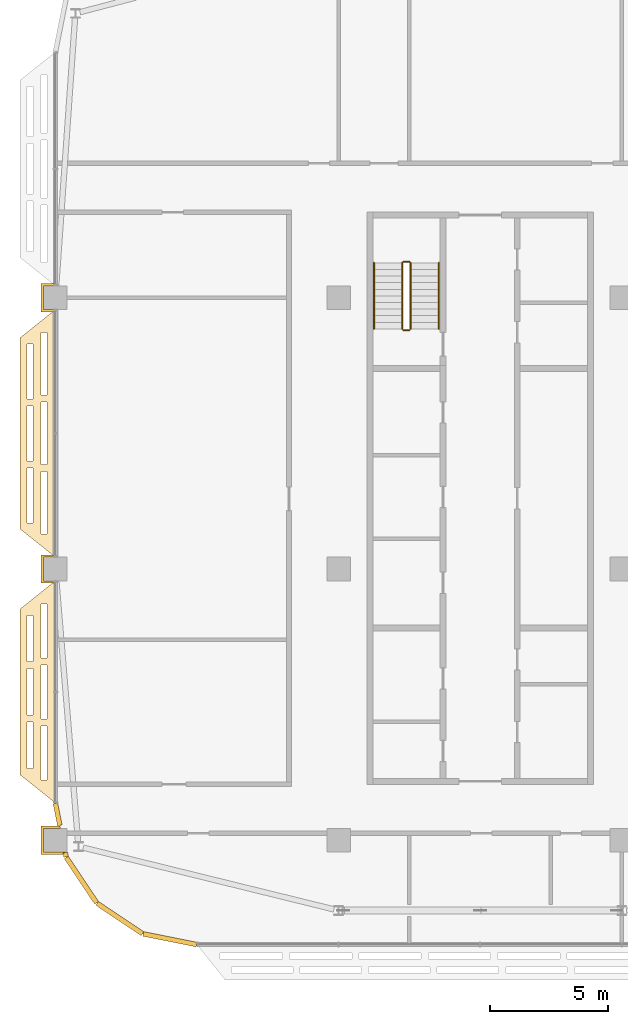
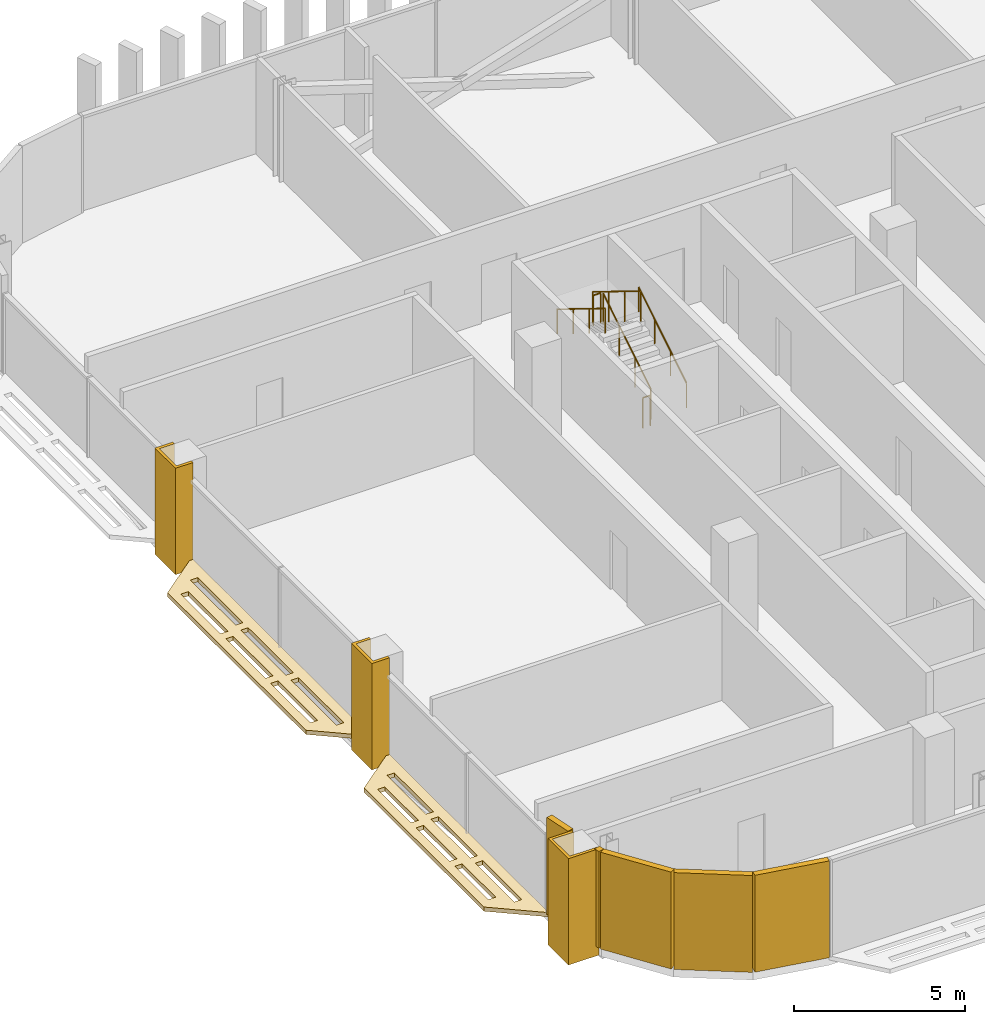
# One storey, part 26 of 32: 10 coverings, 6 railings.
"""IFC4 building model written with IfcOpenShell, lengths in metres."""

from ifc_helpers import new_model, si_unit, direction, frame, origin, origin_2d, place, context, subcontext, project, spatial, polyline, rectangle, circle, outline, extrude, material, layer, layer_set, type_object, element, save


model = new_model("IFC4")

# Units and contexts
model_context = context("Model", 3, precision=1e-05, world=origin(), true_north=direction((0.0, 1.0)))
body_context = subcontext(model_context, "Body", "Model", "MODEL_VIEW")
ifc_project = project(units=[si_unit("LENGTHUNIT", "METRE"), si_unit("AREAUNIT", "SQUARE_METRE"), si_unit("VOLUMEUNIT", "CUBIC_METRE"), si_unit("PLANEANGLEUNIT", "RADIAN"), si_unit("MASSUNIT", "GRAM", prefix="KILO")], contexts=[model_context])

# Site, building, storey
site_placement = place(None, origin())
site = spatial("IfcSite", under=ifc_project, at=site_placement, CompositionType="ELEMENT")
building_placement = place(site_placement, origin())
building = spatial("IfcBuilding", under=site, at=building_placement, Name="Mahtab Terrace Research Tower", CompositionType="ELEMENT")
storey_placement = place(building_placement, frame((0.0, 0.0, 240.0)))
storey = spatial("IfcBuildingStorey", under=building, at=storey_placement, Name="L58", CompositionType="ELEMENT", Elevation=240.0)

# Coverings
ifc_material_1 = material(Name="Black aluminium cladding panel", Category="aluminium")
ifc_layer_1 = layer(ifc_material_1, 0.199951171875)
ifc_layer_set_1 = layer_set([ifc_layer_1], Name="Black metal corner cladding 200")
covering_type_1 = type_object("IfcCoveringType", Name="Black metal corner cladding 200", PredefinedType="CLADDING", material=ifc_layer_set_1)
covering_1_placement = place(storey_placement, frame((-41.90380859375, -10.399658203125, 0.0), z_axis=(0.0, 0.0, 1.0), x_axis=(0.195212442692, -0.980760981187, 0.0)))
element("IfcCovering", 1, at=covering_1_placement, inside=storey, type_object=covering_type_1, Name="Corner cladding L58 11", PredefinedType="CLADDING", context=body_context, shape_type="SweptSolid", body=[
    extrude(rectangle(XDim=0.944580078125, YDim=0.199951171875, at=origin_2d()), origin(), (0.0, 0.0, 1.0), 3.4599609375),
])
covering_2_placement = place(storey_placement, frame((-41.5634765625, -12.10986328125, 0.0), z_axis=(0.0, 0.0, 1.0), x_axis=(0.195212442692, -0.980760981187, 0.0)))
element("IfcCovering", 2, at=covering_2_placement, inside=storey, type_object=covering_type_1, Name="Corner cladding L58 12", PredefinedType="CLADDING", context=body_context, shape_type="SweptSolid", body=[
    extrude(rectangle(XDim=0.1904296875, YDim=0.199951171875, at=origin_2d()), origin(), (0.0, 0.0, 1.0), 3.4599609375),
])
for number, where, z_axis, x_axis, name in (
    (3, (-40.89306640625, -13.1865234375, 0.0), (0.0, 0.0, 1.0), (0.555291490808, -0.831655794326, 0.0), "Corner cladding L58 13"),
    (4, (-39.26953125, -14.81005859375, 0.0), (0.0, 0.0, 1.0), (0.831655794326, -0.555291490808, 0.0), "Corner cladding L58 14"),
    (5, (-37.14794921875, -15.6884765625, 0.0), (0.0, 0.0, 1.0), (0.980760981187, -0.195212442692, 0.0), "Corner cladding L58 15"),
):
    element("IfcCovering", number, at=place(storey_placement, frame(where, z_axis=z_axis, x_axis=x_axis)), inside=storey, type_object=covering_type_1, Name=name, PredefinedType="CLADDING", context=body_context, shape_type="SweptSolid", body=[
        extrude(rectangle(XDim=2.30126953125, YDim=0.199951171875, at=origin_2d()), origin(), (0.0, 0.0, 1.0), 3.4599609375),
    ])
ifc_material_2 = material(Name="Dark anodised aluminium cladding", Category="aluminium")
ifc_layer_2 = layer(ifc_material_2, 0.10009765625)
ifc_layer_set_2 = layer_set([ifc_layer_2], Name="Column casing 100")
covering_type_2 = type_object("IfcCoveringType", Name="Column casing 100", PredefinedType="CLADDING", material=ifc_layer_set_2)
covering_3_placement = place(storey_placement, frame((0.0, 0.0, -0.340087890625)))
element("IfcCovering", 6, at=covering_3_placement, inside=storey, type_object=covering_type_2, Name="Column casing RC-1A L58", PredefinedType="CLADDING", context=body_context, shape_type="SweptSolid", body=[
    extrude(outline(polyline([(-42.60009765625, -10.89990234375), (-41.803955078125, -10.89990234375), (-41.783935546875, -11.0), (-42.5, -11.0), (-42.5, -12.0), (-41.5849609375, -12.0), (-41.56494140625, -12.10009765625), (-42.60009765625, -12.10009765625), (-42.60009765625, -10.89990234375)])), origin(), (0.0, 0.0, 1.0), 3.800048828125),
])
covering_4_placement = place(storey_placement, frame((0.0, 0.0, -0.340087890625)))
element("IfcCovering", 7, at=covering_4_placement, inside=storey, type_object=covering_type_2, Name="Column casing RC-1B L58", PredefinedType="CLADDING", context=body_context, shape_type="SweptSolid", body=[
    extrude(outline(polyline([(-42.60009765625, 0.60009765625), (-42.0, 0.60009765625), (-42.0, 0.5), (-42.5, 0.5), (-42.5, -0.5), (-42.0, -0.5), (-42.0, -0.60009765625), (-42.60009765625, -0.60009765625), (-42.60009765625, 0.60009765625)])), origin(), (0.0, 0.0, 1.0), 3.800048828125),
])
covering_5_placement = place(storey_placement, frame((0.0, 0.0, -0.340087890625)))
element("IfcCovering", 8, at=covering_5_placement, inside=storey, type_object=covering_type_2, Name="Column casing RC-1C L58", PredefinedType="CLADDING", context=body_context, shape_type="SweptSolid", body=[
    extrude(outline(polyline([(-42.60009765625, 12.10009765625), (-42.0, 12.10009765625), (-42.0, 12.0), (-42.5, 12.0), (-42.5, 11.0), (-42.0, 11.0), (-42.0, 10.89990234375), (-42.60009765625, 10.89990234375), (-42.60009765625, 12.10009765625)])), origin(), (0.0, 0.0, 1.0), 3.800048828125),
])
ifc_material_3 = material(Name="Black anodised aluminium", Category="aluminium")
ifc_layer_3 = layer(ifc_material_3, 0.14990234375)
ifc_layer_set_3 = layer_set([ifc_layer_3], Name="Horizontal sunshade band")
covering_type_3 = type_object("IfcCoveringType", Name="Horizontal sunshade band", PredefinedType="CLADDING", material=ifc_layer_set_3)
covering_6_placement = place(storey_placement, frame((0.0, 0.0, -0.14990234375)))
element("IfcCovering", 9, at=covering_6_placement, inside=storey, type_object=covering_type_3, Name="Sunshade band L58 9", PredefinedType="CLADDING", context=body_context, shape_type="SweptSolid", body=[
    extrude(outline(polyline([(-42.0, 11.0), (-42.0, 0.5), (-43.5, 1.699951171875), (-43.5, 9.800048828125), (-42.0, 11.0)]), holes=[polyline([(-42.35009765625, 10.02001953125), (-42.35009765625, 7.373046875), (-42.60009765625, 7.373046875), (-42.60009765625, 10.02001953125), (-42.35009765625, 10.02001953125)]), polyline([(-42.35009765625, 7.072998046875), (-42.35009765625, 4.427001953125), (-42.60009765625, 4.427001953125), (-42.60009765625, 7.072998046875), (-42.35009765625, 7.072998046875)]), polyline([(-42.35009765625, 4.126953125), (-42.35009765625, 1.47998046875), (-42.60009765625, 1.47998046875), (-42.60009765625, 4.126953125), (-42.35009765625, 4.126953125)]), polyline([(-42.949951171875, 9.5400390625), (-42.949951171875, 7.212890625), (-43.199951171875, 7.212890625), (-43.199951171875, 9.5400390625), (-42.949951171875, 9.5400390625)]), polyline([(-42.949951171875, 6.9130859375), (-42.949951171875, 4.5869140625), (-43.199951171875, 4.5869140625), (-43.199951171875, 6.9130859375), (-42.949951171875, 6.9130859375)]), polyline([(-42.949951171875, 4.287109375), (-42.949951171875, 1.9599609375), (-43.199951171875, 1.9599609375), (-43.199951171875, 4.287109375), (-42.949951171875, 4.287109375)])]), origin(), (0.0, 0.0, 1.0), 0.14990234375),
])
covering_7_placement = place(storey_placement, frame((0.0, 0.0, -0.14990234375)))
element("IfcCovering", 10, at=covering_7_placement, inside=storey, type_object=covering_type_3, Name="Sunshade band L58 10", PredefinedType="CLADDING", context=body_context, shape_type="SweptSolid", body=[
    extrude(outline(polyline([(-42.0, -0.5), (-42.0, -9.9169921875), (-43.5, -8.717041015625), (-43.5, -1.699951171875), (-42.0, -0.5)]), holes=[polyline([(-42.35009765625, -1.47998046875), (-42.35009765625, -3.76611328125), (-42.60009765625, -3.76611328125), (-42.60009765625, -1.47998046875), (-42.35009765625, -1.47998046875)]), polyline([(-42.35009765625, -4.06591796875), (-42.35009765625, -6.35107421875), (-42.60009765625, -6.35107421875), (-42.60009765625, -4.06591796875), (-42.35009765625, -4.06591796875)]), polyline([(-42.35009765625, -6.65087890625), (-42.35009765625, -8.93701171875), (-42.60009765625, -8.93701171875), (-42.60009765625, -6.65087890625), (-42.35009765625, -6.65087890625)]), polyline([(-42.949951171875, -1.9599609375), (-42.949951171875, -3.926025390625), (-43.199951171875, -3.926025390625), (-43.199951171875, -1.9599609375), (-42.949951171875, -1.9599609375)]), polyline([(-42.949951171875, -4.22607421875), (-42.949951171875, -6.19091796875), (-43.199951171875, -6.19091796875), (-43.199951171875, -4.22607421875), (-42.949951171875, -4.22607421875)]), polyline([(-42.949951171875, -6.490966796875), (-42.949951171875, -8.45703125), (-43.199951171875, -8.45703125), (-43.199951171875, -6.490966796875), (-42.949951171875, -6.490966796875)])]), origin(), (0.0, 0.0, 1.0), 0.14990234375),
])

# Railings
ifc_material_4 = material(Name="Stainless steel AISI 304", Category="steel")
railing_type_1 = type_object("IfcRailingType", Name="Stair guard 1100", PredefinedType="GUARDRAIL", material=ifc_material_4)
railing_1_placement = place(storey_placement, frame((-26.949951171875, 10.175048828125, 0.172607421875)))
element("IfcRailing", 11, at=railing_1_placement, inside=storey, type_object=railing_type_1, Name="L58 ST1 stair guard 1", PredefinedType="GUARDRAIL", context=body_context, shape_type="SweptSolid", body=[
    extrude(circle(Radius=0.02392578125, at=origin_2d()), frame((0.0, 0.0, 1.076171875), z_axis=(0.0, 0.851089632645, 0.525020415988), x_axis=(-1.0, 0.0, 0.0)), (0.0, 0.0, 1.0), 3.2900390625),
    extrude(circle(Radius=0.02099609375, at=origin_2d()), origin(), (0.0, 0.0, 1.0), 1.052001953125),
    extrude(circle(Radius=0.02099609375, at=origin_2d()), frame((0.0, 0.933349609375, 0.57568359375)), (0.0, 0.0, 1.0), 1.052001953125),
    extrude(circle(Radius=0.02099609375, at=origin_2d()), frame((0.0, 1.86669921875, 1.151611328125)), (0.0, 0.0, 1.0), 1.052001953125),
    extrude(circle(Radius=0.02099609375, at=origin_2d()), frame((0.0, 2.800048828125, 1.727294921875)), (0.0, 0.0, 1.0), 1.052001953125),
])
railing_2_placement = place(storey_placement, frame((-27.0, 13.02490234375, 1.89990234375)))
element("IfcRailing", 12, at=railing_2_placement, inside=storey, type_object=railing_type_1, Name="L58 ST1 stair guard 2", PredefinedType="GUARDRAIL", context=body_context, shape_type="SweptSolid", body=[
    extrude(circle(Radius=0.02392578125, at=origin_2d()), frame((0.0, 0.0, 1.076171875), z_axis=(-1.0, 0.0, 0.0), x_axis=(0.0, -1.0, 0.0)), (0.0, 0.0, 1.0), 0.25),
    extrude(circle(Radius=0.02099609375, at=origin_2d()), origin(), (0.0, 0.0, 1.0), 1.052001953125),
    extrude(circle(Radius=0.02099609375, at=origin_2d()), frame((-0.25, 0.0, 0.0)), (0.0, 0.0, 1.0), 1.052001953125),
])
railing_3_placement = place(storey_placement, frame((-27.300048828125, 12.97509765625, 2.07275390625)))
element("IfcRailing", 13, at=railing_3_placement, inside=storey, type_object=railing_type_1, Name="L58 ST1 stair guard 3", PredefinedType="GUARDRAIL", context=body_context, shape_type="SweptSolid", body=[
    extrude(circle(Radius=0.02392578125, at=origin_2d()), frame((0.0, 0.0, 1.076171875), z_axis=(0.0, -0.851089632645, 0.525020415988), x_axis=(1.0, 0.0, 0.0)), (0.0, 0.0, 1.0), 3.2900390625),
    extrude(circle(Radius=0.02099609375, at=origin_2d()), origin(), (0.0, 0.0, 1.0), 1.052001953125),
    extrude(circle(Radius=0.02099609375, at=origin_2d()), frame((0.0, -0.933349609375, 0.57568359375)), (0.0, 0.0, 1.0), 1.052001953125),
    extrude(circle(Radius=0.02099609375, at=origin_2d()), frame((0.0, -1.86669921875, 1.151611328125)), (0.0, 0.0, 1.0), 1.052001953125),
    extrude(circle(Radius=0.02099609375, at=origin_2d()), frame((0.0, -2.800048828125, 1.727294921875)), (0.0, 0.0, 1.0), 1.052001953125),
])
railing_4_placement = place(storey_placement, frame((-27.0, 10.125, 0.0)))
element("IfcRailing", 14, at=railing_4_placement, inside=storey, type_object=railing_type_1, Name="L58 ST1 stair guard 4", PredefinedType="GUARDRAIL", context=body_context, shape_type="SweptSolid", body=[
    extrude(circle(Radius=0.02392578125, at=origin_2d()), frame((0.0, 0.0, 1.076171875), z_axis=(-1.0, 0.0, 0.0), x_axis=(0.0, -1.0, 0.0)), (0.0, 0.0, 1.0), 0.25),
    extrude(circle(Radius=0.02099609375, at=origin_2d()), origin(), (0.0, 0.0, 1.0), 1.052001953125),
    extrude(circle(Radius=0.02099609375, at=origin_2d()), frame((-0.25, 0.0, 0.0)), (0.0, 0.0, 1.0), 1.052001953125),
])
railing_type_2 = type_object("IfcRailingType", Name="Stair handrail 900", PredefinedType="HANDRAIL", material=ifc_material_4)
railing_5_placement = place(storey_placement, frame((-25.75, 10.175048828125, 0.172607421875)))
element("IfcRailing", 15, at=railing_5_placement, inside=storey, type_object=railing_type_2, Name="L58 ST1 stair handrail 1", PredefinedType="HANDRAIL", context=body_context, shape_type="SweptSolid", body=[
    extrude(circle(Radius=0.02392578125, at=origin_2d()), frame((0.0, 0.0, 0.8759765625), z_axis=(0.0, 0.851089632645, 0.525020415988), x_axis=(-1.0, 0.0, 0.0)), (0.0, 0.0, 1.0), 3.2900390625),
    extrude(circle(Radius=0.02099609375, at=origin_2d()), origin(), (0.0, 0.0, 1.0), 0.851806640625),
    extrude(circle(Radius=0.02099609375, at=origin_2d()), frame((0.0, 0.933349609375, 0.57568359375)), (0.0, 0.0, 1.0), 0.851806640625),
    extrude(circle(Radius=0.02099609375, at=origin_2d()), frame((0.0, 1.86669921875, 1.151611328125)), (0.0, 0.0, 1.0), 0.851806640625),
    extrude(circle(Radius=0.02099609375, at=origin_2d()), frame((0.0, 2.800048828125, 1.727294921875)), (0.0, 0.0, 1.0), 0.851806640625),
])
railing_6_placement = place(storey_placement, frame((-28.5, 12.97509765625, 2.07275390625)))
element("IfcRailing", 16, at=railing_6_placement, inside=storey, type_object=railing_type_2, Name="L58 ST1 stair handrail 2", PredefinedType="HANDRAIL", context=body_context, shape_type="SweptSolid", body=[
    extrude(circle(Radius=0.02392578125, at=origin_2d()), frame((0.0, 0.0, 0.8759765625), z_axis=(0.0, -0.851089632645, 0.525020415988), x_axis=(1.0, 0.0, 0.0)), (0.0, 0.0, 1.0), 3.2900390625),
    extrude(circle(Radius=0.02099609375, at=origin_2d()), origin(), (0.0, 0.0, 1.0), 0.851806640625),
    extrude(circle(Radius=0.02099609375, at=origin_2d()), frame((0.0, -0.933349609375, 0.57568359375)), (0.0, 0.0, 1.0), 0.851806640625),
    extrude(circle(Radius=0.02099609375, at=origin_2d()), frame((0.0, -1.86669921875, 1.151611328125)), (0.0, 0.0, 1.0), 0.851806640625),
    extrude(circle(Radius=0.02099609375, at=origin_2d()), frame((0.0, -2.800048828125, 1.727294921875)), (0.0, 0.0, 1.0), 0.851806640625),
])

save(model, "model.ifc")
